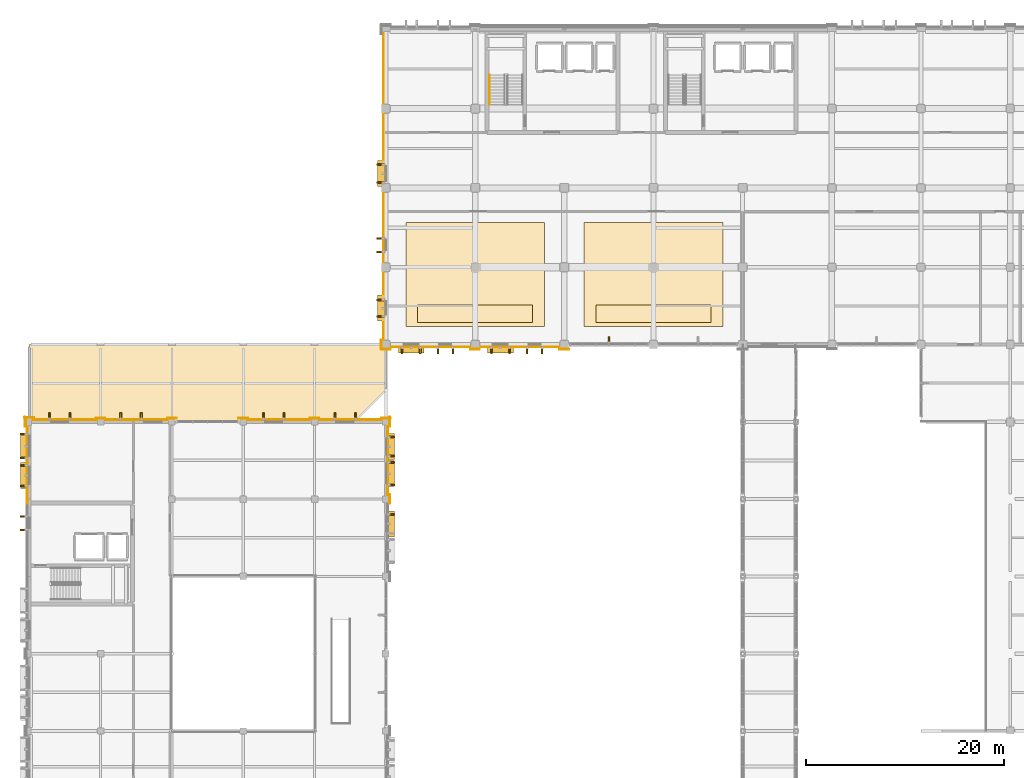
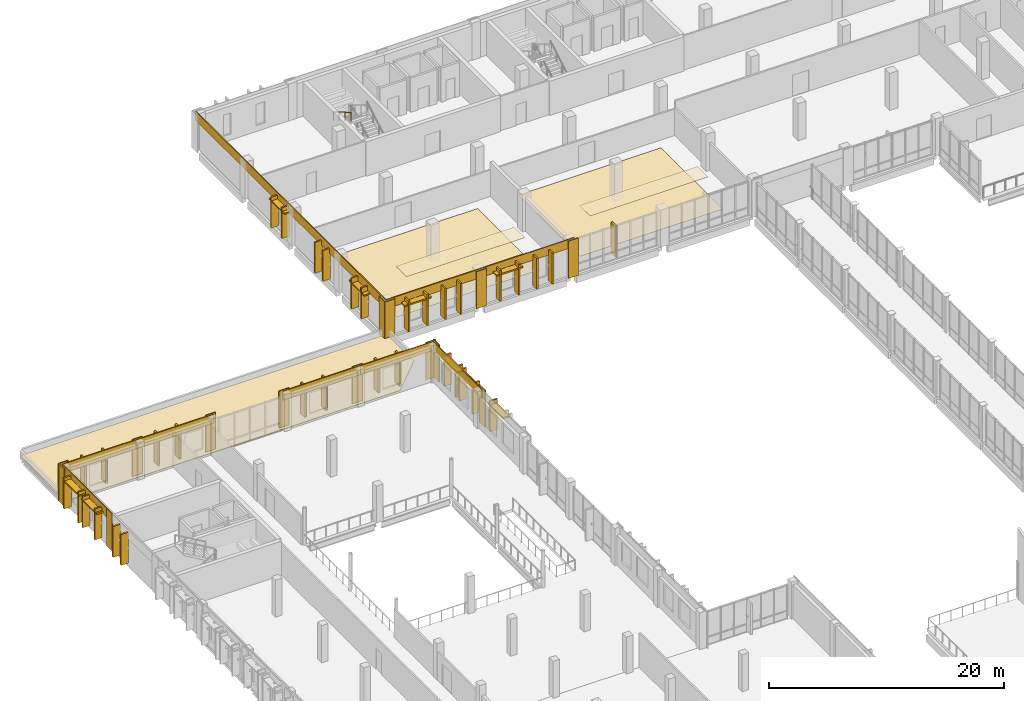
# One storey, part 79 of 85: 43 shading devices, 28 coverings, 1 railing.
"""IFC4 building model written with IfcOpenShell, lengths in metres."""

from ifc_helpers import new_model, si_unit, direction, frame, origin, origin_2d, place, context, subcontext, project, spatial, polyline, rectangle, circle, outline, extrude, material, layer, layer_set, type_object, element, save


model = new_model("IFC4")

# Units and contexts
model_context = context("Model", 3, precision=1e-05, world=origin(), true_north=direction((0.0, 1.0)))
body_context = subcontext(model_context, "Body", "Model", "MODEL_VIEW")
ifc_project = project(units=[si_unit("LENGTHUNIT", "METRE"), si_unit("AREAUNIT", "SQUARE_METRE"), si_unit("VOLUMEUNIT", "CUBIC_METRE"), si_unit("PLANEANGLEUNIT", "RADIAN"), si_unit("MASSUNIT", "GRAM", prefix="KILO")], contexts=[model_context])

# Site, building, storey
site_placement = place(None, origin())
site = spatial("IfcSite", under=ifc_project, at=site_placement, CompositionType="ELEMENT")
building_placement = place(site_placement, origin())
building = spatial("IfcBuilding", under=site, at=building_placement, Name="Vervanel Yard Central Library", CompositionType="ELEMENT")
storey_placement = place(building_placement, frame((0.0, 0.0, 5.10009765625)))
storey = spatial("IfcBuildingStorey", under=building, at=storey_placement, Name="L01", CompositionType="ELEMENT", Elevation=5.10009765625)

# Railing
ifc_material_1 = material(Name="Brushed stainless steel AISI 316", Category="steel")
railing_type = type_object("IfcRailingType", Name="Brushed Stainless Stair Handrail 900", PredefinedType="HANDRAIL", material=ifc_material_1)
railing_placement = place(storey_placement, frame((46.43994140625, 109.39990234375, 2.094482421875)))
element("IfcRailing", 1, at=railing_placement, inside=storey, type_object=railing_type, Name="L01 ST-01 stair handrail 2", PredefinedType="HANDRAIL", context=body_context, shape_type="SweptSolid", body=[
    extrude(circle(Radius=0.02392578125, at=origin_2d()), frame((0.0, 0.0, 0.8759765625), z_axis=(0.0, -0.864360011887, 0.502873512775), x_axis=(1.0, 0.0, 0.0)), (0.0, 0.0, 1.0), 3.470703125),
    extrude(circle(Radius=0.02099609375, at=origin_2d()), origin(), (0.0, 0.0, 1.0), 0.851806640625),
    extrude(circle(Radius=0.02099609375, at=origin_2d()), frame((0.0, -1.0, 0.581787109375)), (0.0, 0.0, 1.0), 0.851806640625),
    extrude(circle(Radius=0.02099609375, at=origin_2d()), frame((0.0, -2.0, 1.16357421875)), (0.0, 0.0, 1.0), 0.851806640625),
    extrude(circle(Radius=0.02099609375, at=origin_2d()), frame((0.0, -3.0, 1.745361328125)), (0.0, 0.0, 1.0), 0.851806640625),
])

# Coverings
ifc_material_2 = material(Name="Precast concrete C45/55", Category="concrete")
ifc_layer_1 = layer(ifc_material_2, 0.0849609375, Category="concrete")
ifc_layer_set_1 = layer_set([ifc_layer_1], Name="Precast concrete C45/55")
covering_type_1 = type_object("IfcCoveringType", Name="Bush-Hammered Precast Architectural Cladding Panel", PredefinedType="CLADDING", material=ifc_layer_set_1)
covering_1_placement = place(storey_placement, frame((40.5, 81.949951171875, 2.93017578125), z_axis=(0.0, 0.0, 1.0), x_axis=(1.0, 0.0, 0.0)))
element("IfcCovering", 2, at=covering_1_placement, inside=storey, type_object=covering_type_1, Name="L01 Precast Concrete Spandrel Cornice EWALL-L01-0027", PredefinedType="CLADDING", context=body_context, shape_type="SweptSolid", body=[
    extrude(rectangle(XDim=9.449951171875, YDim=0.0849609375, at=origin_2d()), origin(), (0.0, 0.0, 1.0), 0.929931640625),
])
for number, where, z_axis, x_axis, name in (
    (3, (36.0, 81.732421875, 0.0), (0.0, 0.0, 1.0), (1.0, 0.0, 0.0), "L01 Precast Concrete Pier Pilaster EWALL-L01-0027-A"),
    (4, (45.0, 81.732421875, 0.0), (0.0, 0.0, 1.0), (1.0, 0.0, 0.0), "L01 Precast Concrete Pier Pilaster EWALL-L01-0027-B"),
):
    element("IfcCovering", number, at=place(storey_placement, frame(where, z_axis=z_axis, x_axis=x_axis)), inside=storey, type_object=covering_type_1, Name=name, PredefinedType="CLADDING", context=body_context, shape_type="SweptSolid", body=[
        extrude(rectangle(XDim=0.97998046875, YDim=0.0849609375, at=origin_2d()), origin(), (0.0, 0.0, 1.0), 3.860107421875),
    ])
covering_2_placement = place(storey_placement, frame((49.5, 81.949951171875, 2.93017578125), z_axis=(0.0, 0.0, 1.0), x_axis=(1.0, 0.0, 0.0)))
element("IfcCovering", 5, at=covering_2_placement, inside=storey, type_object=covering_type_1, Name="L01 Precast Concrete Spandrel Cornice EWALL-L01-0028", PredefinedType="CLADDING", context=body_context, shape_type="SweptSolid", body=[
    extrude(rectangle(XDim=9.449951171875, YDim=0.0849609375, at=origin_2d()), origin(), (0.0, 0.0, 1.0), 0.929931640625),
])
covering_3_placement = place(storey_placement, frame((54.0, 81.732421875, 0.0), z_axis=(0.0, 0.0, 1.0), x_axis=(1.0, 0.0, 0.0)))
element("IfcCovering", 6, at=covering_3_placement, inside=storey, type_object=covering_type_1, Name="L01 Precast Concrete Pier Pilaster EWALL-L01-0028-B", PredefinedType="CLADDING", context=body_context, shape_type="SweptSolid", body=[
    extrude(rectangle(XDim=0.97998046875, YDim=0.0849609375, at=origin_2d()), origin(), (0.0, 0.0, 1.0), 3.860107421875),
])
covering_4_placement = place(storey_placement, frame((35.75, 98.10009765625, 2.93017578125), z_axis=(0.0, 0.0, 1.0), x_axis=(0.0, 1.0, 0.0)))
element("IfcCovering", 7, at=covering_4_placement, inside=storey, type_object=covering_type_1, Name="L01 Precast Concrete Spandrel Cornice EWALL-L01-0030", PredefinedType="CLADDING", context=body_context, shape_type="SweptSolid", body=[
    extrude(rectangle(XDim=32.25, YDim=0.0849609375, at=origin_2d()), origin(), (0.0, 0.0, 1.0), 0.929931640625),
])
for number, where, z_axis, x_axis, name in (
    (8, (35.532470703125, 82.199951171875, 0.0), (0.0, 0.0, 1.0), (0.0, 1.0, 0.0), "L01 Precast Concrete Pier Pilaster EWALL-L01-0030-A"),
    (9, (-0.21240234375, 66.60009765625, 0.0), (0.0, 0.0, 1.0), (0.0, 1.0, 0.0), "L01 Precast Concrete Pier Pilaster EWALL-L01-0102-B"),
):
    element("IfcCovering", number, at=place(storey_placement, frame(where, z_axis=z_axis, x_axis=x_axis)), inside=storey, type_object=covering_type_1, Name=name, PredefinedType="CLADDING", context=body_context, shape_type="SweptSolid", body=[
        extrude(rectangle(XDim=0.97998046875, YDim=0.0849609375, at=origin_2d()), origin(), (0.0, 0.0, 1.0), 3.860107421875),
    ])
covering_5_placement = place(storey_placement, frame((-0.2099609375, 70.5, 2.93017578125), z_axis=(0.0, 0.0, 1.0), x_axis=(0.0, 1.0, 0.0)))
element("IfcCovering", 10, at=covering_5_placement, inside=storey, type_object=covering_type_1, Name="L01 Precast Concrete Spandrel Cornice EWALL-L01-0103", PredefinedType="CLADDING", context=body_context, shape_type="SweptSolid", body=[
    extrude(rectangle(XDim=8.25, YDim=0.0849609375, at=origin_2d()), origin(), (0.0, 0.0, 1.0), 0.929931640625),
])
for number, where, z_axis, x_axis, name in (
    (11, (-0.4326171875, 74.39990234375, 0.0), (0.0, 0.0, 1.0), (0.0, 1.0, 0.0), "L01 Precast Concrete Pier Pilaster EWALL-L01-0103-B"),
    (12, (36.367431640625, 66.60009765625, 0.0), (0.0, 0.0, 1.0), (0.0, 1.0, 0.0), "L01 Precast Concrete Pier Pilaster EWALL-L01-0106-B"),
):
    element("IfcCovering", number, at=place(storey_placement, frame(where, z_axis=z_axis, x_axis=x_axis)), inside=storey, type_object=covering_type_1, Name=name, PredefinedType="CLADDING", context=body_context, shape_type="SweptSolid", body=[
        extrude(rectangle(XDim=0.97998046875, YDim=0.0849609375, at=origin_2d()), origin(), (0.0, 0.0, 1.0), 3.860107421875),
    ])
covering_6_placement = place(storey_placement, frame((36.18994140625, 70.5, 2.93017578125), z_axis=(0.0, 0.0, 1.0), x_axis=(0.0, 1.0, 0.0)))
element("IfcCovering", 13, at=covering_6_placement, inside=storey, type_object=covering_type_1, Name="L01 Precast Concrete Spandrel Cornice EWALL-L01-0107", PredefinedType="CLADDING", context=body_context, shape_type="SweptSolid", body=[
    extrude(rectangle(XDim=8.25, YDim=0.0849609375, at=origin_2d()), origin(), (0.0, 0.0, 1.0), 0.929931640625),
])
covering_7_placement = place(storey_placement, frame((36.367431640625, 74.39990234375, 0.0), z_axis=(0.0, 0.0, 1.0), x_axis=(0.0, 1.0, 0.0)))
element("IfcCovering", 14, at=covering_7_placement, inside=storey, type_object=covering_type_1, Name="L01 Precast Concrete Pier Pilaster EWALL-L01-0107-B", PredefinedType="CLADDING", context=body_context, shape_type="SweptSolid", body=[
    extrude(rectangle(XDim=0.97998046875, YDim=0.0849609375, at=origin_2d()), origin(), (0.0, 0.0, 1.0), 3.860107421875),
])
covering_8_placement = place(storey_placement, frame((3.60009765625, 74.610107421875, 2.93017578125), z_axis=(0.0, 0.0, 1.0), x_axis=(1.0, 0.0, 0.0)))
element("IfcCovering", 15, at=covering_8_placement, inside=storey, type_object=covering_type_1, Name="L01 Precast Concrete Spandrel Cornice EWALL-L01-0108", PredefinedType="CLADDING", context=body_context, shape_type="SweptSolid", body=[
    extrude(rectangle(XDim=7.64990234375, YDim=0.0849609375, at=origin_2d()), origin(), (0.0, 0.0, 1.0), 0.929931640625),
])
for number, where, z_axis, x_axis, name in (
    (16, (0.0, 74.83251953125, 0.0), (0.0, 0.0, 1.0), (1.0, 0.0, 0.0), "L01 Precast Concrete Pier Pilaster EWALL-L01-0108-A"),
    (17, (7.199951171875, 74.767578125, 0.0), (0.0, 0.0, 1.0), (1.0, 0.0, 0.0), "L01 Precast Concrete Pier Pilaster EWALL-L01-0108-B"),
):
    element("IfcCovering", number, at=place(storey_placement, frame(where, z_axis=z_axis, x_axis=x_axis)), inside=storey, type_object=covering_type_1, Name=name, PredefinedType="CLADDING", context=body_context, shape_type="SweptSolid", body=[
        extrude(rectangle(XDim=0.97998046875, YDim=0.0849609375, at=origin_2d()), origin(), (0.0, 0.0, 1.0), 3.860107421875),
    ])
covering_9_placement = place(storey_placement, frame((10.800048828125, 74.610107421875, 2.93017578125), z_axis=(0.0, 0.0, 1.0), x_axis=(1.0, 0.0, 0.0)))
element("IfcCovering", 18, at=covering_9_placement, inside=storey, type_object=covering_type_1, Name="L01 Precast Concrete Spandrel Cornice EWALL-L01-0109", PredefinedType="CLADDING", context=body_context, shape_type="SweptSolid", body=[
    extrude(rectangle(XDim=7.64990234375, YDim=0.0849609375, at=origin_2d()), origin(), (0.0, 0.0, 1.0), 0.929931640625),
])
covering_10_placement = place(storey_placement, frame((14.39990234375, 74.767578125, 0.0), z_axis=(0.0, 0.0, 1.0), x_axis=(1.0, 0.0, 0.0)))
element("IfcCovering", 19, at=covering_10_placement, inside=storey, type_object=covering_type_1, Name="L01 Precast Concrete Pier Pilaster EWALL-L01-0109-B", PredefinedType="CLADDING", context=body_context, shape_type="SweptSolid", body=[
    extrude(rectangle(XDim=0.97998046875, YDim=0.0849609375, at=origin_2d()), origin(), (0.0, 0.0, 1.0), 3.860107421875),
])
covering_11_placement = place(storey_placement, frame((25.199951171875, 74.610107421875, 2.93017578125), z_axis=(0.0, 0.0, 1.0), x_axis=(1.0, 0.0, 0.0)))
element("IfcCovering", 20, at=covering_11_placement, inside=storey, type_object=covering_type_1, Name="L01 Precast Concrete Spandrel Cornice EWALL-L01-0110", PredefinedType="CLADDING", context=body_context, shape_type="SweptSolid", body=[
    extrude(rectangle(XDim=7.64990234375, YDim=0.0849609375, at=origin_2d()), origin(), (0.0, 0.0, 1.0), 0.929931640625),
])
for number, where, z_axis, x_axis, name in (
    (21, (21.60009765625, 74.767578125, 0.0), (0.0, 0.0, 1.0), (1.0, 0.0, 0.0), "L01 Precast Concrete Pier Pilaster EWALL-L01-0110-A"),
    (22, (28.800048828125, 74.767578125, 0.0), (0.0, 0.0, 1.0), (1.0, 0.0, 0.0), "L01 Precast Concrete Pier Pilaster EWALL-L01-0110-B"),
):
    element("IfcCovering", number, at=place(storey_placement, frame(where, z_axis=z_axis, x_axis=x_axis)), inside=storey, type_object=covering_type_1, Name=name, PredefinedType="CLADDING", context=body_context, shape_type="SweptSolid", body=[
        extrude(rectangle(XDim=0.97998046875, YDim=0.0849609375, at=origin_2d()), origin(), (0.0, 0.0, 1.0), 3.860107421875),
    ])
covering_12_placement = place(storey_placement, frame((32.39990234375, 74.610107421875, 2.93017578125), z_axis=(0.0, 0.0, 1.0), x_axis=(1.0, 0.0, 0.0)))
element("IfcCovering", 23, at=covering_12_placement, inside=storey, type_object=covering_type_1, Name="L01 Precast Concrete Spandrel Cornice EWALL-L01-0111", PredefinedType="CLADDING", context=body_context, shape_type="SweptSolid", body=[
    extrude(rectangle(XDim=7.64990234375, YDim=0.0849609375, at=origin_2d()), origin(), (0.0, 0.0, 1.0), 0.929931640625),
])
covering_13_placement = place(storey_placement, frame((36.0, 74.767578125, 0.0), z_axis=(0.0, 0.0, 1.0), x_axis=(1.0, 0.0, 0.0)))
element("IfcCovering", 24, at=covering_13_placement, inside=storey, type_object=covering_type_1, Name="L01 Precast Concrete Pier Pilaster EWALL-L01-0111-B", PredefinedType="CLADDING", context=body_context, shape_type="SweptSolid", body=[
    extrude(rectangle(XDim=0.97998046875, YDim=0.0849609375, at=origin_2d()), origin(), (0.0, 0.0, 1.0), 3.860107421875),
])

# Shading devices
shading_device_type_1 = type_object("IfcShadingDeviceType", Name="Horizontal Precast Brise-Soleil Sunhood 2600x680x140", PredefinedType="JALOUSIE", material=ifc_material_2)
for number, where, z_axis, x_axis, name in (
    (25, (38.550048828125, 81.659912109375, 2.97998046875), (0.0, 0.0, 1.0), (1.0, 0.0, 0.0), "L01 Precast Horizontal Sunhood 8"),
    (26, (47.550048828125, 81.659912109375, 2.97998046875), (0.0, 0.0, 1.0), (1.0, 0.0, 0.0), "L01 Precast Horizontal Sunhood 9"),
    (27, (35.47998046875, 85.875, 2.830078125), (0.0, 0.0, 1.0), (0.0, 1.0, 0.0), "L01 Precast Horizontal Sunhood 10"),
    (28, (35.47998046875, 99.449951171875, 3.080078125), (0.0, 0.0, 1.0), (0.0, 1.0, 0.0), "L01 Precast Horizontal Sunhood 11"),
    (29, (-0.5400390625, 68.97509765625, 3.02978515625), (0.0, 0.0, 1.0), (0.0, 1.0, 0.0), "L01 Precast Horizontal Sunhood 44"),
    (30, (-0.5400390625, 71.949951171875, 3.1298828125), (0.0, 0.0, 1.0), (0.0, 1.0, 0.0), "L01 Precast Horizontal Sunhood 45"),
    (31, (36.52001953125, 64.10009765625, 2.93017578125), (0.0, 0.0, 1.0), (0.0, 1.0, 0.0), "L01 Precast Horizontal Sunhood 51"),
    (32, (36.52001953125, 69.175048828125, 2.97998046875), (0.0, 0.0, 1.0), (0.0, 1.0, 0.0), "L01 Precast Horizontal Sunhood 52"),
    (33, (36.52001953125, 71.89990234375, 2.93017578125), (0.0, 0.0, 1.0), (0.0, 1.0, 0.0), "L01 Precast Horizontal Sunhood 53"),
):
    element("IfcShadingDevice", number, at=place(storey_placement, frame(where, z_axis=z_axis, x_axis=x_axis)), inside=storey, type_object=shading_device_type_1, Name=name, PredefinedType="JALOUSIE", context=body_context, shape_type="SweptSolid", body=[
        extrude(rectangle(XDim=2.60009765625, YDim=0.679931640625, at=origin_2d()), origin(), (0.0, 0.0, 1.0), 0.139892578125),
    ])

# Coverings
ifc_material_3 = material(Name="Polished river-stone terrazzo flooring", Category="masonry")
ifc_layer_2 = layer(ifc_material_3, 0.02490234375, Category="masonry")
ifc_layer_set_2 = layer_set([ifc_layer_2], Name="Polished river-stone terrazzo flooring")
covering_type_2 = type_object("IfcCoveringType", Name="Polished River-Stone Terrazzo Flooring 25", PredefinedType="FLOORING", material=ifc_layer_set_2)
covering_14_placement = place(storey_placement, origin())
element("IfcCovering", 34, at=covering_14_placement, inside=storey, type_object=covering_type_2, Name="L01 Terrazzo Flooring Bay 6", PredefinedType="FLOORING", context=body_context, shape_type="SweptSolid", body=[
    extrude(outline(polyline([(38.0, 84.0), (52.0, 84.0), (52.0, 94.5), (38.0, 94.5), (38.0, 84.0)])), origin(), (0.0, 0.0, 1.0), 0.02490234375),
])
covering_15_placement = place(storey_placement, origin())
element("IfcCovering", 35, at=covering_15_placement, inside=storey, type_object=covering_type_2, Name="L01 Terrazzo Flooring Bay 7", PredefinedType="FLOORING", context=body_context, shape_type="SweptSolid", body=[
    extrude(outline(polyline([(56.0, 84.0), (70.0, 84.0), (70.0, 94.5), (56.0, 94.5), (56.0, 84.0)])), origin(), (0.0, 0.0, 1.0), 0.02490234375),
])
ifc_material_4 = material(Name="Standing-seam dark zinc-coated metal roofing", Category="metal")
ifc_layer_3 = layer(ifc_material_4, 0.06494140625, Category="metal")
ifc_layer_set_3 = layer_set([ifc_layer_3], Name="Standing-seam dark zinc-coated metal roofing")
covering_type_3 = type_object("IfcCoveringType", Name="Standing-Seam Dark Zinc Roof Assembly", PredefinedType="ROOFING", material=ifc_layer_set_3)
covering_16_placement = place(storey_placement, origin())
element("IfcCovering", 36, at=covering_16_placement, inside=storey, type_object=covering_type_3, Name="L01 Roof Covering ROOF-L01-V2N", PredefinedType="ROOFING", context=body_context, shape_type="SweptSolid", body=[
    extrude(outline(polyline([(0.0, 74.39990234375), (32.800048828125, 74.39990234375), (36.0, 77.60009765625), (36.0, 82.199951171875), (0.0, 82.199951171875), (0.0, 74.39990234375)])), origin(), (0.0, 0.0, 1.0), 0.06494140625),
])
ifc_material_5 = material(Name="Perforated mineral-fibre acoustic ceiling", Category="gypsum")
ifc_layer_4 = layer(ifc_material_5, 0.034912109375, Category="gypsum")
ifc_layer_set_4 = layer_set([ifc_layer_4], Name="Perforated mineral-fibre acoustic ceiling")
covering_type_4 = type_object("IfcCoveringType", Name="Suspended Mineral Acoustic Ceiling 35", PredefinedType="CEILING", material=ifc_layer_set_4)
covering_17_placement = place(storey_placement, frame((0.0, 0.0, 3.514892578125)))
element("IfcCovering", 37, at=covering_17_placement, inside=storey, type_object=covering_type_4, Name="L01 Acoustic Ceiling Bay 6", PredefinedType="CEILING", context=body_context, shape_type="SweptSolid", body=[
    extrude(outline(polyline([(39.199951171875, 84.39990234375), (50.800048828125, 84.39990234375), (50.800048828125, 86.199951171875), (39.199951171875, 86.199951171875), (39.199951171875, 84.39990234375)])), origin(), (0.0, 0.0, 1.0), 0.034912109375),
])
covering_18_placement = place(storey_placement, frame((0.0, 0.0, 3.514892578125)))
element("IfcCovering", 38, at=covering_18_placement, inside=storey, type_object=covering_type_4, Name="L01 Acoustic Ceiling Bay 7", PredefinedType="CEILING", context=body_context, shape_type="SweptSolid", body=[
    extrude(outline(polyline([(57.199951171875, 84.39990234375), (68.800048828125, 84.39990234375), (68.800048828125, 86.199951171875), (57.199951171875, 86.199951171875), (57.199951171875, 84.39990234375)])), origin(), (0.0, 0.0, 1.0), 0.034912109375),
])

# Shading devices
shading_device_type_2 = type_object("IfcShadingDeviceType", Name="Vertical Precast Solar Fin 160x720x3200", PredefinedType="JALOUSIE", material=ifc_material_2)
for number, where, z_axis, x_axis, name in (
    (39, (37.639892578125, 81.6298828125, 0.2998046875), (0.0, 0.0, 1.0), (1.0, 0.0, 0.0), "L01 Precast Solar Fin 71"),
    (40, (39.4599609375, 81.6298828125, 0.2998046875), (0.0, 0.0, 1.0), (1.0, 0.0, 0.0), "L01 Precast Solar Fin 72"),
    (41, (41.239990234375, 81.6298828125, 0.2998046875), (0.0, 0.0, 1.0), (1.0, 0.0, 0.0), "L01 Precast Solar Fin 73"),
    (42, (42.760009765625, 81.6298828125, 0.2998046875), (0.0, 0.0, 1.0), (1.0, 0.0, 0.0), "L01 Precast Solar Fin 74"),
    (43, (46.639892578125, 81.6298828125, 0.2998046875), (0.0, 0.0, 1.0), (1.0, 0.0, 0.0), "L01 Precast Solar Fin 75"),
    (44, (48.4599609375, 81.6298828125, 0.2998046875), (0.0, 0.0, 1.0), (1.0, 0.0, 0.0), "L01 Precast Solar Fin 76"),
    (45, (50.239990234375, 81.6298828125, 0.2998046875), (0.0, 0.0, 1.0), (1.0, 0.0, 0.0), "L01 Precast Solar Fin 77"),
    (46, (51.760009765625, 81.6298828125, 0.2998046875), (0.0, 0.0, 1.0), (1.0, 0.0, 0.0), "L01 Precast Solar Fin 78"),
    (47, (58.5, 82.610107421875, 0.1650390625), (0.0, 0.0, 1.0), (1.0, 0.0, 0.0), "L01 Precast Solar Fin 79"),
    (48, (35.449951171875, 85.0400390625, 0.27490234375), (0.0, 0.0, 1.0), (0.0, 1.0, 0.0), "L01 Precast Solar Fin 82"),
    (49, (35.449951171875, 86.7099609375, 0.27490234375), (0.0, 0.0, 1.0), (0.0, 1.0, 0.0), "L01 Precast Solar Fin 83"),
    (50, (35.449951171875, 91.5400390625, 0.22509765625), (0.0, 0.0, 1.0), (0.0, 1.0, 0.0), "L01 Precast Solar Fin 84"),
    (51, (35.449951171875, 92.909912109375, 0.22509765625), (0.0, 0.0, 1.0), (0.0, 1.0, 0.0), "L01 Precast Solar Fin 85"),
    (52, (35.449951171875, 98.5400390625, 0.39990234375), (0.0, 0.0, 1.0), (0.0, 1.0, 0.0), "L01 Precast Solar Fin 86"),
    (53, (35.449951171875, 100.360107421875, 0.39990234375), (0.0, 0.0, 1.0), (0.0, 1.0, 0.0), "L01 Precast Solar Fin 87"),
    (54, (-0.570068359375, 63.489990234375, 0.375), (0.0, 0.0, 1.0), (0.0, 1.0, 0.0), "L01 Precast Solar Fin 275"),
    (55, (-0.570068359375, 64.860107421875, 0.375), (0.0, 0.0, 1.0), (0.0, 1.0, 0.0), "L01 Precast Solar Fin 276"),
    (56, (-0.570068359375, 67.93994140625, 0.32470703125), (0.0, 0.0, 1.0), (0.0, 1.0, 0.0), "L01 Precast Solar Fin 277"),
    (57, (-0.570068359375, 70.010009765625, 0.32470703125), (0.0, 0.0, 1.0), (0.0, 1.0, 0.0), "L01 Precast Solar Fin 278"),
    (58, (-0.570068359375, 70.739990234375, 0.375), (0.0, 0.0, 1.0), (0.0, 1.0, 0.0), "L01 Precast Solar Fin 279"),
    (59, (-0.570068359375, 73.159912109375, 0.375), (0.0, 0.0, 1.0), (0.0, 1.0, 0.0), "L01 Precast Solar Fin 280"),
    (60, (36.550048828125, 65.06005859375, 0.27490234375), (0.0, 0.0, 1.0), (0.0, 1.0, 0.0), "L01 Precast Solar Fin 294"),
    (61, (36.550048828125, 68.0400390625, 0.2998046875), (0.0, 0.0, 1.0), (0.0, 1.0, 0.0), "L01 Precast Solar Fin 295"),
    (62, (36.550048828125, 70.31005859375, 0.2998046875), (0.0, 0.0, 1.0), (0.0, 1.0, 0.0), "L01 Precast Solar Fin 296"),
    (63, (36.550048828125, 70.93994140625, 0.27490234375), (0.0, 0.0, 1.0), (0.0, 1.0, 0.0), "L01 Precast Solar Fin 297"),
    (64, (36.550048828125, 72.860107421875, 0.27490234375), (0.0, 0.0, 1.0), (0.0, 1.0, 0.0), "L01 Precast Solar Fin 298"),
    (65, (2.0400390625, 74.969970703125, 0.375), (0.0, 0.0, 1.0), (1.0, 0.0, 0.0), "L01 Precast Solar Fin 299"),
    (66, (4.110107421875, 74.969970703125, 0.375), (0.0, 0.0, 1.0), (1.0, 0.0, 0.0), "L01 Precast Solar Fin 300"),
    (67, (9.239990234375, 74.969970703125, 0.375), (0.0, 0.0, 1.0), (1.0, 0.0, 0.0), "L01 Precast Solar Fin 301"),
    (68, (11.31005859375, 74.969970703125, 0.375), (0.0, 0.0, 1.0), (1.0, 0.0, 0.0), "L01 Precast Solar Fin 302"),
    (69, (23.639892578125, 74.969970703125, 0.375), (0.0, 0.0, 1.0), (1.0, 0.0, 0.0), "L01 Precast Solar Fin 303"),
    (70, (25.7099609375, 74.969970703125, 0.375), (0.0, 0.0, 1.0), (1.0, 0.0, 0.0), "L01 Precast Solar Fin 304"),
    (71, (30.840087890625, 74.969970703125, 0.375), (0.0, 0.0, 1.0), (1.0, 0.0, 0.0), "L01 Precast Solar Fin 305"),
    (72, (32.909912109375, 74.969970703125, 0.375), (0.0, 0.0, 1.0), (1.0, 0.0, 0.0), "L01 Precast Solar Fin 306"),
):
    element("IfcShadingDevice", number, at=place(storey_placement, frame(where, z_axis=z_axis, x_axis=x_axis)), inside=storey, type_object=shading_device_type_2, Name=name, PredefinedType="JALOUSIE", context=body_context, shape_type="SweptSolid", body=[
        extrude(rectangle(XDim=0.159912109375, YDim=0.719970703125, at=origin_2d()), origin(), (0.0, 0.0, 1.0), 3.199951171875),
    ])

save(model, "model.ifc")
